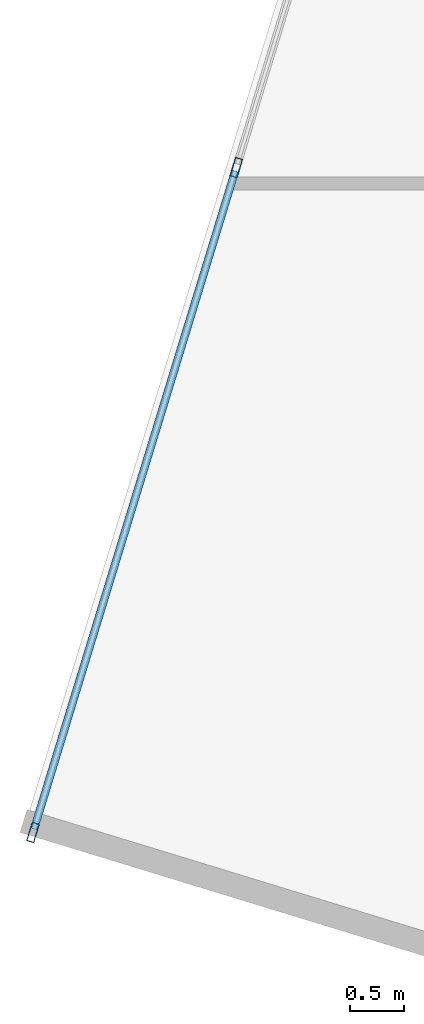
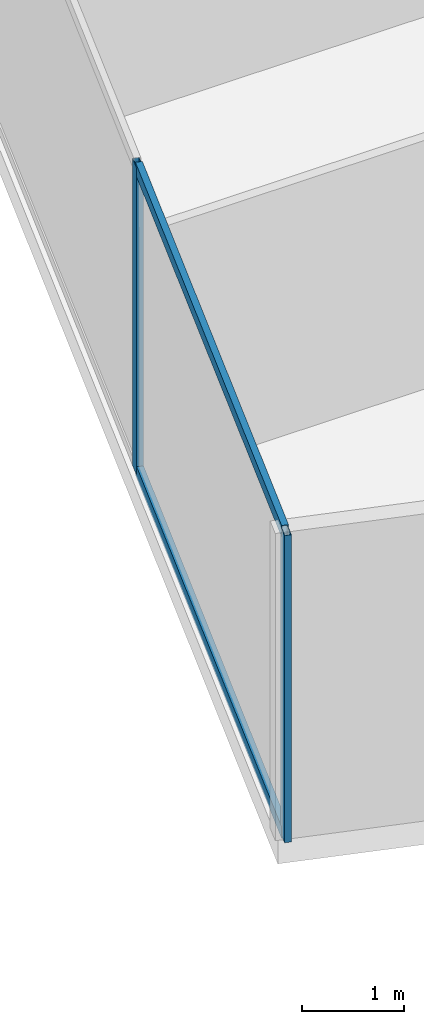
# One storey, part 5 of 26: 4 members, 1 element without a shape of its own.
"""IFC4 building model written with IfcOpenShell, lengths in metres."""

from ifc_helpers import new_model, si_unit, direction, frame, origin, origin_2d, place, context, subcontext, project, spatial, hollow_rectangle, extrude, source, transform, mapped, material, material_profile, profile_set, type_object, type_shapes, element, aggregate, save


model = new_model("IFC4")

# Units and contexts
model_context = context("Model", 3, precision=1e-05, world=origin(), true_north=direction((0.0, 1.0)))
body_context = subcontext(model_context, "Body", "Model", "MODEL_VIEW")
ifc_project = project(units=[si_unit("LENGTHUNIT", "METRE"), si_unit("AREAUNIT", "SQUARE_METRE"), si_unit("VOLUMEUNIT", "CUBIC_METRE"), si_unit("PLANEANGLEUNIT", "RADIAN"), si_unit("MASSUNIT", "GRAM", prefix="KILO")], contexts=[model_context])

# Site, building, storey
site_placement = place(None, origin())
site = spatial("IfcSite", under=ifc_project, at=site_placement, CompositionType="ELEMENT")
building_placement = place(site_placement, origin())
building = spatial("IfcBuilding", under=site, at=building_placement, Name="Krantzveldt Concourse Tower", CompositionType="ELEMENT")
storey_placement = place(building_placement, frame((0.0, 0.0, 109.800048828125)))
storey = spatial("IfcBuildingStorey", under=building, at=storey_placement, Name="L26", CompositionType="ELEMENT", Elevation=109.800048828125)

# Curtain wall, members
ifc_material = material(Name="Anodised aluminium 6063-T6", Category="aluminium")
curtain_wall_type = type_object("IfcCurtainWallType", Name="CW2", PredefinedType="USERDEFINED", material=ifc_material)
curtain_wall_placement = place(storey_placement, origin())
curtain_wall = element("IfcCurtainWall", 1, at=curtain_wall_placement, inside=storey, type_object=curtain_wall_type, Name="CW-L26-F01", ObjectType="UNITISED CURTAIN WALL", PredefinedType="USERDEFINED")
ifc_material_profile_1 = material_profile(ifc_material, hollow_rectangle(XDim=0.070068359375, YDim=0.179931640625, WallThickness=0.0048828125, at=origin_2d()), Name="Anodised aluminium 6063-T6", Category="aluminium")
ifc_profile_set_1 = profile_set([ifc_material_profile_1], Name="Anodised aluminium 6063-T6 - ALU-MULL 180x70x5")
member_type_1 = type_object("IfcMemberType", Name="CW-MUL-180", PredefinedType="MULLION", material=ifc_profile_set_1)
shared_shape_1 = source(origin(), body_context, "Body", "SweptSolid", [
    extrude(hollow_rectangle(XDim=0.070068359375, YDim=0.179931640625, WallThickness=0.0048828125, at=origin_2d()), origin(), (0.0, 0.0, 1.0), 3.669921875),
])
type_shapes(member_type_1, [shared_shape_1])
member_1_placement = place(storey_placement, frame((9.92724609375, 21.14697265625, 0.0), z_axis=(0.0, 0.0, 1.0), x_axis=(0.956304761423, -0.292371686864, 0.0)))
member_1 = element("IfcMember", 2, at=member_1_placement, type_object=member_type_1, Name="CW-Z12 mullion 6", PredefinedType="MULLION", context=body_context, shape_type="MappedRepresentation", body=[
    mapped(shared_shape_1, transform((0.0, 0.0, 0.0), x_axis=(1.0, 0.0, 0.0), y_axis=(0.0, 1.0, 0.0), z_axis=(0.0, 0.0, 1.0), scale=1.0)),
])
member_2_placement = place(storey_placement, frame((8.046875, 14.996337890625, 0.0), z_axis=(0.0, 0.0, 1.0), x_axis=(0.956304761423, -0.292371686864, 0.0)))
member_2 = element("IfcMember", 3, at=member_2_placement, type_object=member_type_1, Name="CW-Z12 mullion 7", PredefinedType="MULLION", context=body_context, shape_type="MappedRepresentation", body=[
    mapped(shared_shape_1, transform((0.0, 0.0, 0.0), x_axis=(1.0, 0.0, 0.0), y_axis=(0.0, 1.0, 0.0), z_axis=(0.0, 0.0, 1.0), scale=1.0)),
])
ifc_material_profile_2 = material_profile(ifc_material, hollow_rectangle(XDim=0.070068359375, YDim=0.139892578125, WallThickness=0.0048828125, at=origin_2d()), Name="Anodised aluminium 6063-T6", Category="aluminium")
ifc_profile_set_2 = profile_set([ifc_material_profile_2], Name="Anodised aluminium 6063-T6 - ALU-TRAN 140x70x5")
member_type_2 = type_object("IfcMemberType", Name="CW-TRN-150", PredefinedType="USERDEFINED", material=ifc_profile_set_2)
shared_shape_2 = source(origin(), body_context, "Body", "SweptSolid", [
    extrude(hollow_rectangle(XDim=0.070068359375, YDim=0.139892578125, WallThickness=0.0048828125, at=origin_2d()), origin(), (0.0, 0.0, 1.0), 6.36181640625),
])
type_shapes(member_type_2, [shared_shape_2])
member_3_placement = place(storey_placement, frame((9.9169921875, 21.113525390625, 0.034912109375), z_axis=(-0.292389152537, -0.956299421457, 0.0), x_axis=(0.956299421457, -0.292389152537, 0.0)))
member_3 = element("IfcMember", 4, at=member_3_placement, type_object=member_type_2, Name="CW-Z12 transom 6.1", ObjectType="TRANSOM", PredefinedType="USERDEFINED", context=body_context, shape_type="MappedRepresentation", body=[
    mapped(shared_shape_2, transform((0.0, 0.0, 0.0), x_axis=(1.0, 0.0, 0.0), y_axis=(0.0, 1.0, 0.0), z_axis=(0.0, 0.0, 1.0), scale=1.0)),
])
member_4_placement = place(storey_placement, frame((9.9169921875, 21.113525390625, 3.635009765625), z_axis=(-0.292389152537, -0.956299421457, 0.0), x_axis=(0.956299421457, -0.292389152537, 0.0)))
member_4 = element("IfcMember", 5, at=member_4_placement, type_object=member_type_2, Name="CW-Z12 transom 6.2", ObjectType="TRANSOM", PredefinedType="USERDEFINED", context=body_context, shape_type="MappedRepresentation", body=[
    mapped(shared_shape_2, transform((0.0, 0.0, 0.0), x_axis=(1.0, 0.0, 0.0), y_axis=(0.0, 1.0, 0.0), z_axis=(0.0, 0.0, 1.0), scale=1.0)),
])
aggregate(curtain_wall, [member_1, member_2, member_3, member_4])

save(model, "model.ifc")
